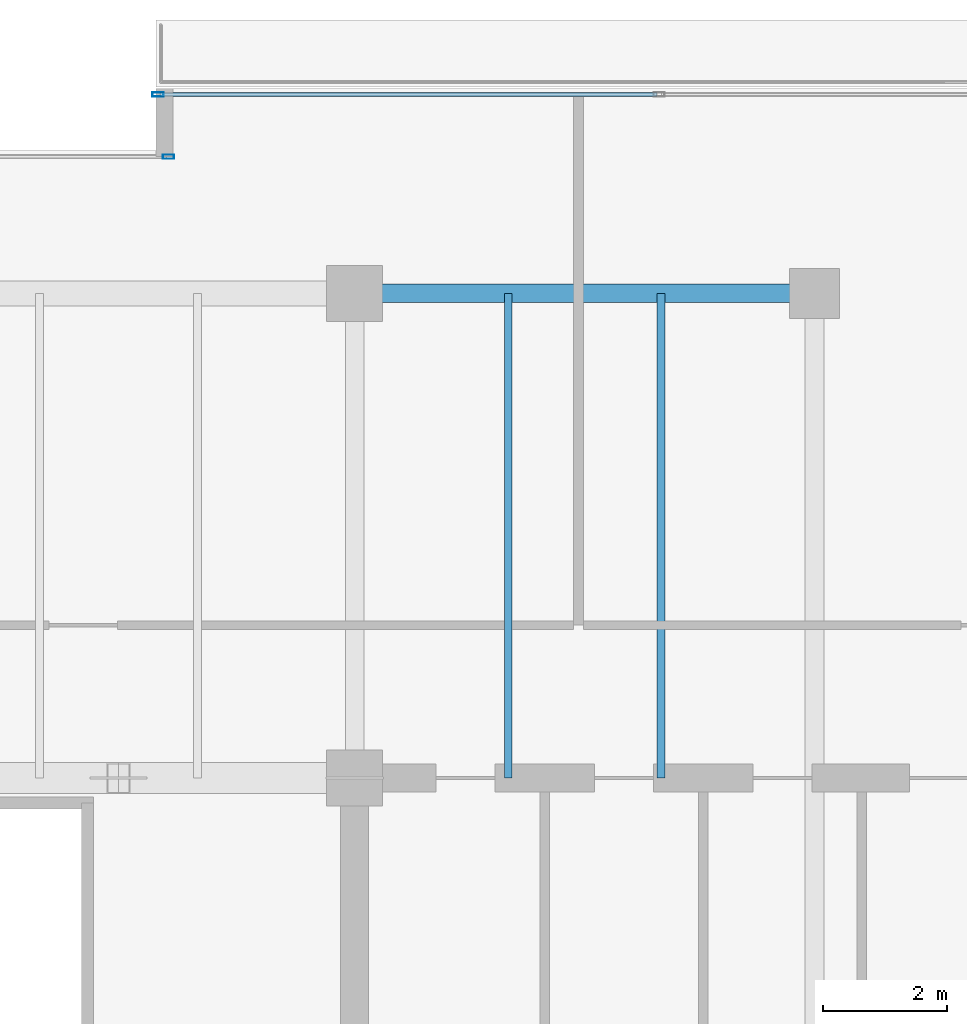
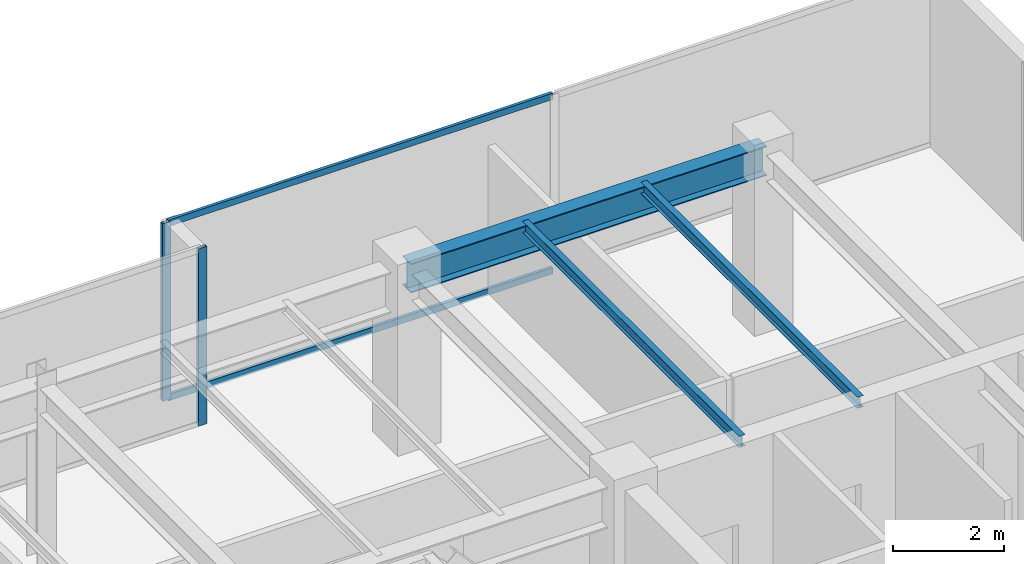
# One storey, part 23 of 34: 4 members, 3 beams, 2 elements without a shape of their own.
"""IFC4 building model written with IfcOpenShell, lengths in metres."""

from ifc_helpers import new_model, si_unit, direction, frame, origin, origin_2d, place, context, subcontext, project, spatial, hollow_rectangle, i_section, extrude, source, transform, mapped, material, layer, layer_set, material_profile, profile_set, type_object, type_shapes, element, aggregate, save


model = new_model("IFC4")

# Units and contexts
model_context = context("Model", 3, precision=1e-05, world=origin(), true_north=direction((0.0, 1.0)))
body_context = subcontext(model_context, "Body", "Model", "MODEL_VIEW")
ifc_project = project(units=[si_unit("LENGTHUNIT", "METRE"), si_unit("AREAUNIT", "SQUARE_METRE"), si_unit("VOLUMEUNIT", "CUBIC_METRE"), si_unit("PLANEANGLEUNIT", "RADIAN"), si_unit("MASSUNIT", "GRAM", prefix="KILO")], contexts=[model_context])

# Site, building, storey
site_placement = place(None, origin())
site = spatial("IfcSite", under=ifc_project, at=site_placement, CompositionType="ELEMENT")
building_placement = place(site_placement, origin())
building = spatial("IfcBuilding", under=site, at=building_placement, Name="Haelvirn Gate Laboratories", CompositionType="ELEMENT")
storey_placement = place(building_placement, frame((0.0, 0.0, 297.60009765625)))
storey = spatial("IfcBuildingStorey", under=building, at=storey_placement, Name="L71", CompositionType="ELEMENT", Elevation=297.60009765625)

# Beams
ifc_material_1 = material(Name="Steel SM355", Category="steel")
ifc_material_profile_1 = material_profile(ifc_material_1, i_section(OverallWidth=0.300048828125, OverallDepth=0.64990234375, WebThickness=0.012939453125, FlangeThickness=0.02197265625, at=origin_2d()), Name="H-650x300x13x22")
ifc_profile_set_1 = profile_set([ifc_material_profile_1], Name="Steel SM355")
beam_type_1 = type_object("IfcBeamType", Name="BM-G-650", PredefinedType="BEAM", material=ifc_profile_set_1)
shared_shape_1 = source(origin(), body_context, "Body", "SweptSolid", [
    extrude(i_section(OverallWidth=0.300048828125, OverallDepth=0.64990234375, WebThickness=0.012939453125, FlangeThickness=0.02197265625, at=origin_2d()), origin(), (0.0, 0.0, 1.0), 7.39990234375),
])
type_shapes(beam_type_1, [shared_shape_1])
beam_placement = place(storey_placement, frame((52.60009765625, 41.60009765625, 3.574951171875), z_axis=(1.0, 0.0, 0.0), x_axis=(0.0, 1.0, 0.0)))
element("IfcBeam", 1, at=beam_placement, inside=storey, type_object=beam_type_1, Name="L71 Primary Girder Y41.6 (52.6-60.0)", PredefinedType="BEAM", context=body_context, shape_type="MappedRepresentation", body=[
    mapped(shared_shape_1, transform((0.0, 0.0, 0.0), scale=1.0)),
])
ifc_material_profile_2 = material_profile(ifc_material_1, i_section(OverallWidth=0.125, OverallDepth=0.25, WebThickness=0.006103515625, FlangeThickness=0.009033203125, at=origin_2d()), Name="H-250x125x6x9")
ifc_profile_set_2 = profile_set([ifc_material_profile_2], Name="Steel SM355")
beam_type_2 = type_object("IfcBeamType", Name="BM-J-250", PredefinedType="JOIST", material=ifc_profile_set_2)
shared_shape_2 = source(origin(), body_context, "Body", "SweptSolid", [
    extrude(i_section(OverallWidth=0.125, OverallDepth=0.25, WebThickness=0.006103515625, FlangeThickness=0.009033203125, at=origin_2d()), origin(), (0.0, 0.0, 1.0), 7.800048828125),
])
type_shapes(beam_type_2, [shared_shape_2])
for number, where, z_axis, x_axis, name in (
    (2, (55.070068359375, 33.800048828125, 3.77490234375), (0.0, 1.0, 0.0), (-1.0, 0.0, 0.0), "L71 Composite Lab Joist North X55.07"),
    (3, (57.530029296875, 33.800048828125, 3.77490234375), (0.0, 1.0, 0.0), (-1.0, 0.0, 0.0), "L71 Composite Lab Joist North X57.53"),
):
    element("IfcBeam", number, at=place(storey_placement, frame(where, z_axis=z_axis, x_axis=x_axis)), inside=storey, type_object=beam_type_2, Name=name, PredefinedType="JOIST", context=body_context, shape_type="MappedRepresentation", body=[
        mapped(shared_shape_2, transform((0.0, 0.0, 0.0), scale=1.0)),
    ])

# Curtain wall, member
ifc_material_2 = material(Name="Anodised bronze unitised aluminium & triple low-E glass", Category="aluminium")
ifc_layer = layer(ifc_material_2, 0.176025390625, Name="CW-SYS-4")
ifc_layer_set = layer_set([ifc_layer], Name="Anodised bronze unitised aluminium & triple low-E glass")
curtain_wall_type = type_object("IfcCurtainWallType", Name="CW-SYS-4", PredefinedType="NOTDEFINED", material=ifc_layer_set)
curtain_wall_1_placement = place(storey_placement, origin())
curtain_wall_1 = element("IfcCurtainWall", 4, at=curtain_wall_1_placement, inside=storey, type_object=curtain_wall_type, Name="L71 Unitised Curtain Wall CW-L71-P0-E10-1", PredefinedType="NOTDEFINED")
ifc_material_3 = material(Name="Extruded aluminium 6063-T6 (anodised bronze)", Category="aluminium")
ifc_material_profile_3 = material_profile(ifc_material_3, hollow_rectangle(XDim=0.070068359375, YDim=0.179931640625, WallThickness=0.0048828125, at=origin_2d()), Name="CWM-180x70x5")
ifc_profile_set_3 = profile_set([ifc_material_profile_3], Name="Extruded aluminium 6063-T6 (anodised bronze)")
member_type_1 = type_object("IfcMemberType", Name="CWM-T180", PredefinedType="MULLION", material=ifc_profile_set_3)
shared_shape_3 = source(origin(), body_context, "Body", "SweptSolid", [
    extrude(hollow_rectangle(XDim=0.070068359375, YDim=0.179931640625, WallThickness=0.0048828125, at=origin_2d()), origin(), (0.0, 0.0, 1.0), 3.89990234375),
])
type_shapes(member_type_1, [shared_shape_3])
member_1_placement = place(storey_placement, frame((49.43505859375, 44.800048828125, 0.0), z_axis=(0.0, 0.0, 1.0), x_axis=(0.0, 1.0, 0.0)))
member_1 = element("IfcMember", 5, at=member_1_placement, type_object=member_type_1, Name="CW4 mullion 1", PredefinedType="MULLION", context=body_context, shape_type="MappedRepresentation", body=[
    mapped(shared_shape_3, transform((0.0, 0.0, 0.0), scale=1.0)),
])

curtain_wall_2_placement = place(storey_placement, origin())
curtain_wall_2 = element("IfcCurtainWall", 6, at=curtain_wall_2_placement, inside=storey, type_object=curtain_wall_type, Name="L71 Unitised Curtain Wall CW-L71-P0-E12-1", PredefinedType="NOTDEFINED")
member_2_placement = place(storey_placement, frame((49.60498046875, 43.800048828125, 0.0), z_axis=(0.0, 0.0, 1.0), x_axis=(0.0, 1.0, 0.0)))
member_2 = element("IfcMember", 7, at=member_2_placement, type_object=member_type_1, Name="CW4 mullion 3", PredefinedType="MULLION", context=body_context, shape_type="MappedRepresentation", body=[
    mapped(shared_shape_3, transform((0.0, 0.0, 0.0), scale=1.0)),
])
aggregate(curtain_wall_2, [member_2])

# Member
ifc_material_profile_4 = material_profile(ifc_material_3, hollow_rectangle(XDim=0.06494140625, YDim=0.139892578125, WallThickness=0.00390625, at=origin_2d()), Name="CWT-140x65x4")
ifc_profile_set_4 = profile_set([ifc_material_profile_4], Name="Extruded aluminium 6063-T6 (anodised bronze)")
member_type_2 = type_object("IfcMemberType", Name="CWT-T140", PredefinedType="USERDEFINED", material=ifc_profile_set_4)
shared_shape_4 = source(origin(), body_context, "Body", "SweptSolid", [
    extrude(hollow_rectangle(XDim=0.06494140625, YDim=0.139892578125, WallThickness=0.00390625, at=origin_2d()), origin(), (0.0, 0.0, 1.0), 7.9951171875),
])
type_shapes(member_type_2, [shared_shape_4])
member_3_placement = place(storey_placement, frame((49.469970703125, 44.800048828125, 0.032470703125), z_axis=(1.0, 0.0, 0.0), x_axis=(0.0, 1.0, 0.0)))
member_3 = element("IfcMember", 8, at=member_3_placement, type_object=member_type_2, Name="CW4 transom 1.1", ObjectType="TRANSOM", PredefinedType="USERDEFINED", context=body_context, shape_type="MappedRepresentation", body=[
    mapped(shared_shape_4, transform((0.0, 0.0, 0.0), scale=1.0)),
])

member_4_placement = place(storey_placement, frame((49.469970703125, 44.800048828125, 3.867431640625), z_axis=(1.0, 0.0, 0.0), x_axis=(0.0, 1.0, 0.0)))
member_4 = element("IfcMember", 9, at=member_4_placement, type_object=member_type_2, Name="CW4 transom 1.2", ObjectType="TRANSOM", PredefinedType="USERDEFINED", context=body_context, shape_type="MappedRepresentation", body=[
    mapped(shared_shape_4, transform((0.0, 0.0, 0.0), scale=1.0)),
])

aggregate(curtain_wall_1, [member_1, member_3, member_4])

save(model, "model.ifc")
